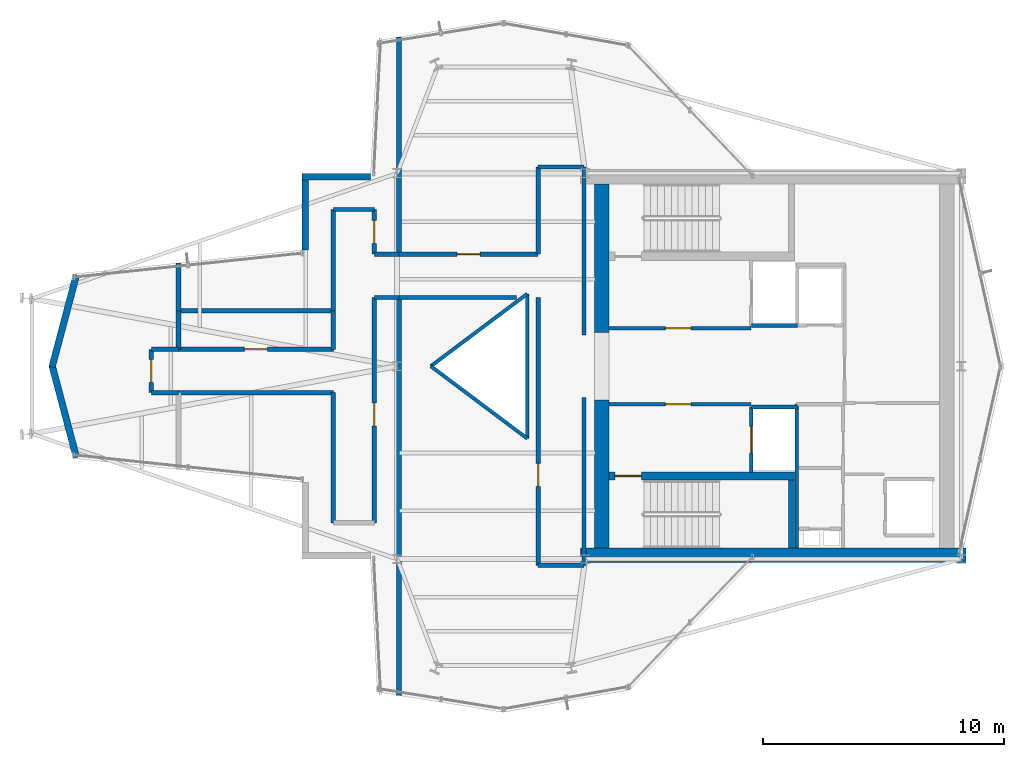
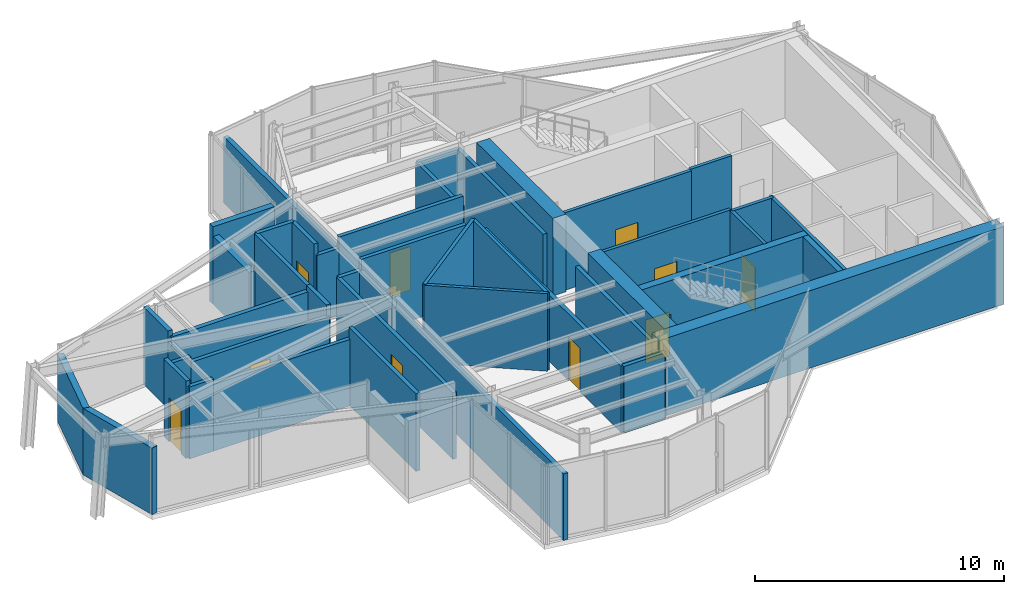
# One storey, part 12 of 14: 44 walls, 10 doors, 10 openings.
"""IFC4 building model written with IfcOpenShell, lengths in metres."""

from ifc_helpers import new_model, si_unit, direction, frame, frame_2d, origin, place, context, subcontext, project, spatial, rectangle, extrude, material, layer, layer_set, type_object, element, fill, save


model = new_model("IFC4")

# Units and contexts
model_context = context("Model", 3, precision=1e-05, world=origin(), true_north=direction((0.0, 1.0)))
body_context = subcontext(model_context, "Body", "Model", "MODEL_VIEW")
ifc_project = project(units=[si_unit("LENGTHUNIT", "METRE"), si_unit("AREAUNIT", "SQUARE_METRE"), si_unit("VOLUMEUNIT", "CUBIC_METRE"), si_unit("PLANEANGLEUNIT", "RADIAN"), si_unit("MASSUNIT", "GRAM", prefix="KILO")], contexts=[model_context])

# Site, building, storey
site_placement = place(None, origin())
site = spatial("IfcSite", under=ifc_project, at=site_placement, CompositionType="ELEMENT")
building_placement = place(site_placement, origin())
building = spatial("IfcBuilding", under=site, at=building_placement, Name="Veymaron Broadcast Tower", CompositionType="ELEMENT")
storey_placement = place(building_placement, frame((0.0, 0.0, 299.25)))
storey = spatial("IfcBuildingStorey", under=building, at=storey_placement, Name="L70", CompositionType="ELEMENT", Elevation=299.25)

# Walls
ifc_material_1 = material(Name="Concrete C40/50", Category="concrete")
ifc_layer_1 = layer(ifc_material_1, 0.199951171875)
ifc_layer_set_1 = layer_set([ifc_layer_1], Name="Concrete C40/50")
wall_type_1 = type_object("IfcWallType", Name="WALL-BLK-200", PredefinedType="SOLIDWALL", material=ifc_layer_set_1)
wall_1_placement = place(storey_placement, frame((31.27587890625, 10.33740234375, 0.0), z_axis=(0.0, 0.0, 1.0), x_axis=(0.0, 1.0, 0.0)))
element("IfcWall", 1, at=wall_1_placement, inside=storey, type_object=wall_type_1, Name="L70 partition IW-L70-P23", PredefinedType="SOLIDWALL", context=body_context, shape_type="SweptSolid", body=[
    extrude(rectangle(XDim=16.5126953125, YDim=0.199951171875, at=frame_2d((8.25634765625, 0.0))), origin(), (0.0, 0.0, 1.0), 3.27001953125),
])
wall_2_placement = place(storey_placement, frame((22.1279296875, 24.699951171875, 0.0), z_axis=(0.0, 0.0, 1.0), x_axis=(0.0, 1.0, 0.0)))
element("IfcWall", 2, at=wall_2_placement, inside=storey, type_object=wall_type_1, Name="L70 partition IW-L70-P25", PredefinedType="SOLIDWALL", context=body_context, shape_type="SweptSolid", body=[
    extrude(rectangle(XDim=1.59814453125, YDim=0.199951171875, at=frame_2d((0.799072265625, 0.0))), origin(), (0.0, 0.0, 1.0), 3.27001953125),
])
wall_3_placement = place(storey_placement, frame((22.1279296875, 26.298095703125, 0.0), z_axis=(0.0, 0.0, 1.0), x_axis=(0.0, 1.0, 0.0)))
element("IfcWall", 3, at=wall_3_placement, inside=storey, type_object=wall_type_1, Name="L70 partition IW-L70-P26", PredefinedType="SOLIDWALL", context=body_context, shape_type="SweptSolid", body=[
    extrude(rectangle(XDim=1.986572265625, YDim=0.199951171875, at=frame_2d((0.9931640625, 0.0))), origin(), (0.0, 0.0, 1.0), 3.81005859375),
])
wall_4_placement = place(storey_placement, frame((22.1279296875, 26.298095703125, 0.0), z_axis=(0.0, 0.0, 1.0), x_axis=(1.0, 0.0, 0.0)))
element("IfcWall", 4, at=wall_4_placement, inside=storey, type_object=wall_type_1, Name="L70 partition IW-L70-P27", PredefinedType="SOLIDWALL", context=body_context, shape_type="SweptSolid", body=[
    extrude(rectangle(XDim=6.422119140625, YDim=0.199951171875, at=frame_2d((3.2109375, 0.0))), origin(), (0.0, 0.0, 1.0), 3.5400390625),
])
wall_5_placement = place(storey_placement, frame((31.27587890625, 28.64990234375, 0.0), z_axis=(0.0, 0.0, 1.0), x_axis=(0.0, 1.0, 0.0)))
element("IfcWall", 5, at=wall_5_placement, inside=storey, type_object=wall_type_1, Name="L70 partition IW-L70-P28", PredefinedType="SOLIDWALL", context=body_context, shape_type="SweptSolid", body=[
    extrude(rectangle(XDim=9.0126953125, YDim=0.199951171875, at=frame_2d((4.50634765625, 0.0))), origin(), (0.0, 0.0, 1.0), 3.27001953125),
])
ifc_material_2 = material(Name="Precast concrete C40/50", Category="concrete")
ifc_layer_2 = layer(ifc_material_2, 0.280029296875)
ifc_layer_set_2 = layer_set([ifc_layer_2], Name="Precast concrete C40/50")
wall_type_2 = type_object("IfcWallType", Name="WALL-EXT-280", PredefinedType="STANDARD", material=ifc_layer_set_2)
wall_6_placement = place(storey_placement, frame((30.0908203125, 31.860107421875, 0.0), z_axis=(0.0, 0.0, 1.0), x_axis=(-1.0, 0.0, 0.0)))
element("IfcWall", 6, at=wall_6_placement, inside=storey, type_object=wall_type_2, Name="L70 notched corner facade pier 9-1", PredefinedType="STANDARD", context=body_context, shape_type="SweptSolid", body=[
    extrude(rectangle(XDim=2.84130859375, YDim=0.280029296875, at=frame_2d((1.420654296875, 0.0))), origin(), (0.0, 0.0, 1.0), 3.81005859375),
])
wall_7_placement = place(storey_placement, frame((27.3896484375, 32.0, 0.0), z_axis=(0.0, 0.0, 1.0), x_axis=(0.0, -1.0, 0.0)))
element("IfcWall", 7, at=wall_7_placement, inside=storey, type_object=wall_type_2, Name="L70 notched corner facade pier 10-1", PredefinedType="STANDARD", context=body_context, shape_type="SweptSolid", body=[
    extrude(rectangle(XDim=3.177001953125, YDim=0.280029296875, at=frame_2d((1.58837890625, 0.0))), origin(), (0.0, 0.0, 1.0), 3.339111328125),
])
for number, where, z_axis, x_axis, name in (
    (8, (17.895263671875, 27.78955078125, 0.0), (0.0, 0.0, 1.0), (-0.255911213431, -0.96670029008, 0.0), "L70 notched corner facade pier 12-1"),
    (9, (16.882568359375, 24.035888671875, 0.0), (0.0, 0.0, 1.0), (0.255911213431, -0.96670029008, 0.0), "L70 notched corner facade pier 13-1"),
):
    element("IfcWall", number, at=place(storey_placement, frame(where, z_axis=z_axis, x_axis=x_axis)), inside=storey, type_object=wall_type_2, Name=name, PredefinedType="STANDARD", context=body_context, shape_type="SweptSolid", body=[
        extrude(rectangle(XDim=3.957275390625, YDim=0.280029296875, at=frame_2d((1.978515625, 0.0))), origin(), (0.0, 0.0, 1.0), 3.27001953125),
    ])

# Wall, opening, door
ifc_material_3 = material(Name="Gypsum fireboard and steel stud framing", Category="steel")
ifc_layer_3 = layer(ifc_material_3, 0.14990234375)
ifc_layer_set_3 = layer_set([ifc_layer_3], Name="Gypsum fireboard and steel stud framing")
wall_type_3 = type_object("IfcWallType", Name="WALL-FIRE-150", PredefinedType="PARTITIONING", material=ifc_layer_set_3)
wall_8_placement = place(storey_placement, frame((39.97998046875, 25.574951171875, 0.0), z_axis=(0.0, 0.0, 1.0), x_axis=(1.0, 0.0, 0.0)))
wall_8 = element("IfcWall", 10, at=wall_8_placement, inside=storey, type_object=wall_type_3, Name="L70 partition IW-L70-FFLN-S", PredefinedType="PARTITIONING", context=body_context, shape_type="SweptSolid", body=[
    extrude(rectangle(XDim=5.89990234375, YDim=0.14990234375, at=frame_2d((2.949951171875, 0.0))), origin(), (0.0, 0.0, 1.0), 3.81005859375),
])
opening_1_placement = place(wall_8_placement, frame((2.35009765625, 0.0, 0.0)))
opening_1 = element("IfcOpeningElement", 11, at=opening_1_placement, cuts=wall_8, Name="Opening ID-FL1", PredefinedType="OPENING", context=body_context, shape_type="SweptSolid", body=[
    extrude(rectangle(XDim=1.050048828125, YDim=2.14990234375, at=frame_2d((0.52490234375, 1.074951171875))), frame((0.0, 0.0849609375, 0.0), z_axis=(0.0, -1.0, 0.0), x_axis=(1.0, 0.0, 0.0)), (0.0, 0.0, 1.0), 0.169921875),
])
ifc_material_4 = material(Name="Fire-rated painted hollow steel ASTM A653", Category="steel")
door_type_1 = type_object("IfcDoorType", Name="DOOR-FIRE-1050", OperationType="NOTDEFINED", PredefinedType="DOOR", material=ifc_material_4)
door_1_placement = place(opening_1_placement, origin())
door_1 = element("IfcDoor", 12, at=door_1_placement, inside=storey, type_object=door_type_1, Name="L70 door DR-L70-FFLN", OperationType="SINGLE_SWING_LEFT", OverallHeight=2.14990234375, OverallWidth=1.050048828125, PredefinedType="DOOR", context=body_context, shape_type="SweptSolid", body=[
    extrude(rectangle(XDim=1.050048828125, YDim=2.14990234375, at=frame_2d((0.52490234375, 1.074951171875))), frame((0.0, 0.02490234375, 0.0), z_axis=(0.0, -1.0, 0.0), x_axis=(1.0, 0.0, 0.0)), (0.0, 0.0, 1.0), 0.050048828125),
])
fill(opening_1, door_1)

wall_9_placement = place(storey_placement, frame((39.97998046875, 22.425048828125, 0.0), z_axis=(0.0, 0.0, 1.0), x_axis=(1.0, 0.0, 0.0)))
wall_9 = element("IfcWall", 13, at=wall_9_placement, inside=storey, type_object=wall_type_3, Name="L70 partition IW-L70-FFLS-N", PredefinedType="PARTITIONING", context=body_context, shape_type="SweptSolid", body=[
    extrude(rectangle(XDim=5.89990234375, YDim=0.14990234375, at=frame_2d((2.949951171875, 0.0))), origin(), (0.0, 0.0, 1.0), 3.81005859375),
])
opening_2_placement = place(wall_9_placement, frame((2.35009765625, 0.0, 0.0)))
opening_2 = element("IfcOpeningElement", 14, at=opening_2_placement, cuts=wall_9, Name="Opening ID-FL1", PredefinedType="OPENING", context=body_context, shape_type="SweptSolid", body=[
    extrude(rectangle(XDim=1.050048828125, YDim=2.14990234375, at=frame_2d((0.52490234375, 1.074951171875))), frame((0.0, 0.0849609375, 0.0), z_axis=(0.0, -1.0, 0.0), x_axis=(1.0, 0.0, 0.0)), (0.0, 0.0, 1.0), 0.169921875),
])
door_2_placement = place(opening_2_placement, frame((1.050048828125, 0.0, 0.0), z_axis=(0.0, 0.0, 1.0), x_axis=(-1.0, 0.0, 0.0)))
door_2 = element("IfcDoor", 15, at=door_2_placement, inside=storey, type_object=door_type_1, Name="L70 door DR-L70-FFLS", OperationType="SINGLE_SWING_RIGHT", OverallHeight=2.14990234375, OverallWidth=1.050048828125, PredefinedType="DOOR", context=body_context, shape_type="SweptSolid", body=[
    extrude(rectangle(XDim=1.050048828125, YDim=2.14990234375, at=frame_2d((0.52490234375, 1.074951171875))), frame((0.0, 0.02490234375, 0.0), z_axis=(0.0, -1.0, 0.0), x_axis=(1.0, 0.0, 0.0)), (0.0, 0.0, 1.0), 0.050048828125),
])
fill(opening_2, door_2)

# Wall
wall_10_placement = place(storey_placement, frame((45.89501953125, 25.68994140625, 0.0), z_axis=(0.0, 0.0, 1.0), x_axis=(1.0, 0.0, 0.0)))
element("IfcWall", 16, at=wall_10_placement, inside=storey, type_object=wall_type_3, Name="L70 partition IW-L70-SHS-FFL-1", PredefinedType="PARTITIONING", context=body_context, shape_type="SweptSolid", body=[
    extrude(rectangle(XDim=1.9150390625, YDim=0.14990234375, at=frame_2d((0.95751953125, 0.0))), origin(), (0.0, 0.0, 1.0), 3.81005859375),
])

# Wall, opening, door
wall_11_placement = place(storey_placement, frame((45.89501953125, 19.590087890625, 0.0), z_axis=(0.0, 0.0, 1.0), x_axis=(0.0, 1.0, 0.0)))
wall_11 = element("IfcWall", 17, at=wall_11_placement, inside=storey, type_object=wall_type_3, Name="L70 partition IW-L70-SHW-FFL-2", PredefinedType="PARTITIONING", context=body_context, shape_type="SweptSolid", body=[
    extrude(rectangle(XDim=2.719970703125, YDim=0.14990234375, at=frame_2d((1.35986328125, 0.0))), origin(), (0.0, 0.0, 1.0), 3.81005859375),
])
opening_3_placement = place(wall_11_placement, frame((0.81005859375, 0.0, 0.0)))
opening_3 = element("IfcOpeningElement", 18, at=opening_3_placement, cuts=wall_11, Name="Opening LD", PredefinedType="OPENING", context=body_context, shape_type="SweptSolid", body=[
    extrude(rectangle(XDim=1.10009765625, YDim=2.14990234375, at=frame_2d((0.550048828125, 1.074951171875))), frame((0.0, 0.0849609375, 0.0), z_axis=(0.0, -1.0, 0.0), x_axis=(1.0, 0.0, 0.0)), (0.0, 0.0, 1.0), 0.169921875),
])
ifc_material_5 = material(Name="Brushed stainless steel AISI 304", Category="steel")
door_type_2 = type_object("IfcDoorType", Name="DOOR-LIFT-1100", OperationType="DOUBLE_DOOR_SLIDING", PredefinedType="DOOR", material=ifc_material_5)
door_3_placement = place(opening_3_placement, frame((1.10009765625, 0.0, 0.0), z_axis=(0.0, 0.0, 1.0), x_axis=(-1.0, 0.0, 0.0)))
door_3 = element("IfcDoor", 19, at=door_3_placement, inside=storey, type_object=door_type_2, Name="L70 door LD-L70-FFL-2", OperationType="DOUBLE_DOOR_SLIDING", OverallHeight=2.14990234375, OverallWidth=1.10009765625, PredefinedType="DOOR", context=body_context, shape_type="SweptSolid", body=[
    extrude(rectangle(XDim=1.10009765625, YDim=2.14990234375, at=frame_2d((0.550048828125, 1.074951171875))), frame((0.0, 0.02490234375, 0.0), z_axis=(0.0, -1.0, 0.0), x_axis=(1.0, 0.0, 0.0)), (0.0, 0.0, 1.0), 0.050048828125),
])
fill(opening_3, door_3)

# Walls
wall_12_placement = place(storey_placement, frame((45.89501953125, 22.31005859375, 0.0), z_axis=(0.0, 0.0, 1.0), x_axis=(1.0, 0.0, 0.0)))
element("IfcWall", 20, at=wall_12_placement, inside=storey, type_object=wall_type_3, Name="L70 partition IW-L70-SHN-FFL-2", PredefinedType="PARTITIONING", context=body_context, shape_type="SweptSolid", body=[
    extrude(rectangle(XDim=1.9150390625, YDim=0.14990234375, at=frame_2d((0.95751953125, 0.0))), origin(), (0.0, 0.0, 1.0), 3.81005859375),
])
wall_13_placement = place(storey_placement, frame((47.780029296875, 16.449951171875, 0.0), z_axis=(0.0, 0.0, 1.0), x_axis=(0.0, 1.0, 0.0)))
element("IfcWall", 21, at=wall_13_placement, inside=storey, type_object=wall_type_3, Name="L70 partition IW-L70-SM-W", PredefinedType="PARTITIONING", context=body_context, shape_type="SweptSolid", body=[
    extrude(rectangle(XDim=5.97509765625, YDim=0.14990234375, at=frame_2d((2.987548828125, 0.0))), origin(), (0.0, 0.0, 1.0), 3.81005859375),
])

# Wall, opening, door
ifc_layer_4 = layer(ifc_material_1, 0.179931640625)
ifc_layer_set_4 = layer_set([ifc_layer_4], Name="Concrete C40/50")
wall_type_4 = type_object("IfcWallType", Name="WALL-FIRE-180", PredefinedType="SOLIDWALL", material=ifc_layer_set_4)
wall_14_placement = place(storey_placement, frame((37.050048828125, 15.73876953125, 0.0), z_axis=(0.0, 0.0, 1.0), x_axis=(0.0, 1.0, 0.0)))
wall_14 = element("IfcWall", 22, at=wall_14_placement, inside=storey, type_object=wall_type_4, Name="L70 partition IW-L70-P01", PredefinedType="SOLIDWALL", context=body_context, shape_type="SweptSolid", body=[
    extrude(rectangle(XDim=11.111328125, YDim=0.179931640625, at=frame_2d((5.5556640625, 0.0))), origin(), (0.0, 0.0, 1.0), 3.27001953125),
])
opening_4_placement = place(wall_14_placement, frame((3.280517578125, 0.0, 0.0)))
opening_4 = element("IfcOpeningElement", 23, at=opening_4_placement, cuts=wall_14, Name="Opening ID-RM1", PredefinedType="OPENING", context=body_context, shape_type="SweptSolid", body=[
    extrude(rectangle(XDim=0.949951171875, YDim=2.14990234375, at=frame_2d((0.47509765625, 1.074951171875))), frame((0.0, 0.10009765625, 0.0), z_axis=(0.0, -1.0, 0.0), x_axis=(1.0, 0.0, 0.0)), (0.0, 0.0, 1.0), 0.199951171875),
])
ifc_material_6 = material(Name="Acoustic solid-core European oak veneer timber", Category="wood")
door_type_3 = type_object("IfcDoorType", Name="DOOR-INT-950", OperationType="NOTDEFINED", PredefinedType="DOOR", material=ifc_material_6)
door_4_placement = place(opening_4_placement, frame((0.949951171875, 0.0, 0.0), z_axis=(0.0, 0.0, 1.0), x_axis=(-1.0, 0.0, 0.0)))
door_4 = element("IfcDoor", 24, at=door_4_placement, inside=storey, type_object=door_type_3, Name="L70 door DR-L70-P01", OperationType="SINGLE_SWING_RIGHT", OverallHeight=2.14990234375, OverallWidth=0.949951171875, PredefinedType="DOOR", context=body_context, shape_type="SweptSolid", body=[
    extrude(rectangle(XDim=0.949951171875, YDim=2.14990234375, at=frame_2d((0.47509765625, 1.074951171875))), frame((0.0, 0.02490234375, 0.0), z_axis=(0.0, -1.0, 0.0), x_axis=(1.0, 0.0, 0.0)), (0.0, 0.0, 1.0), 0.050048828125),
])
fill(opening_4, door_4)

wall_15_placement = place(storey_placement, frame((30.25, 17.5, 0.0), z_axis=(0.0, 0.0, 1.0), x_axis=(0.0, 1.0, 0.0)))
wall_15 = element("IfcWall", 25, at=wall_15_placement, inside=storey, type_object=wall_type_4, Name="L70 partition IW-L70-P05", PredefinedType="SOLIDWALL", context=body_context, shape_type="SweptSolid", body=[
    extrude(rectangle(XDim=9.35009765625, YDim=0.179931640625, at=frame_2d((4.675048828125, 0.0))), origin(), (0.0, 0.0, 1.0), 3.27001953125),
])
opening_5_placement = place(wall_15_placement, frame((4.02001953125, 0.0, 0.0)))
opening_5 = element("IfcOpeningElement", 26, at=opening_5_placement, cuts=wall_15, Name="Opening ID-RM1", PredefinedType="OPENING", context=body_context, shape_type="SweptSolid", body=[
    extrude(rectangle(XDim=0.949951171875, YDim=2.14990234375, at=frame_2d((0.47509765625, 1.074951171875))), frame((0.0, 0.10009765625, 0.0), z_axis=(0.0, -1.0, 0.0), x_axis=(1.0, 0.0, 0.0)), (0.0, 0.0, 1.0), 0.199951171875),
])
door_5_placement = place(opening_5_placement, frame((0.949951171875, 0.0, 0.0), z_axis=(0.0, 0.0, 1.0), x_axis=(-1.0, 0.0, 0.0)))
door_5 = element("IfcDoor", 27, at=door_5_placement, inside=storey, type_object=door_type_3, Name="L70 door DR-L70-P05", OperationType="SINGLE_SWING_RIGHT", OverallHeight=2.14990234375, OverallWidth=0.949951171875, PredefinedType="DOOR", context=body_context, shape_type="SweptSolid", body=[
    extrude(rectangle(XDim=0.949951171875, YDim=2.14990234375, at=frame_2d((0.47509765625, 1.074951171875))), frame((0.0, 0.02490234375, 0.0), z_axis=(0.0, -1.0, 0.0), x_axis=(1.0, 0.0, 0.0)), (0.0, 0.0, 1.0), 0.050048828125),
])
fill(opening_5, door_5)

wall_16_placement = place(storey_placement, frame((21.0, 22.89990234375, 0.0), z_axis=(0.0, 0.0, 1.0), x_axis=(0.0, 1.0, 0.0)))
wall_16 = element("IfcWall", 28, at=wall_16_placement, inside=storey, type_object=wall_type_4, Name="L70 partition IW-L70-P10", PredefinedType="SOLIDWALL", context=body_context, shape_type="SweptSolid", body=[
    extrude(rectangle(XDim=1.800048828125, YDim=0.179931640625, at=frame_2d((0.89990234375, 0.0))), origin(), (0.0, 0.0, 1.0), 3.81005859375),
])
opening_6_placement = place(wall_16_placement, frame((0.425048828125, 0.0, 0.0)))
opening_6 = element("IfcOpeningElement", 29, at=opening_6_placement, cuts=wall_16, Name="Opening ID-RM1", PredefinedType="OPENING", context=body_context, shape_type="SweptSolid", body=[
    extrude(rectangle(XDim=0.949951171875, YDim=2.14990234375, at=frame_2d((0.47509765625, 1.074951171875))), frame((0.0, 0.10009765625, 0.0), z_axis=(0.0, -1.0, 0.0), x_axis=(1.0, 0.0, 0.0)), (0.0, 0.0, 1.0), 0.199951171875),
])
door_6_placement = place(opening_6_placement, origin())
door_6 = element("IfcDoor", 30, at=door_6_placement, inside=storey, type_object=door_type_3, Name="L70 door DR-L70-P10", OperationType="SINGLE_SWING_LEFT", OverallHeight=2.14990234375, OverallWidth=0.949951171875, PredefinedType="DOOR", context=body_context, shape_type="SweptSolid", body=[
    extrude(rectangle(XDim=0.949951171875, YDim=2.14990234375, at=frame_2d((0.47509765625, 1.074951171875))), frame((0.0, 0.02490234375, 0.0), z_axis=(0.0, -1.0, 0.0), x_axis=(1.0, 0.0, 0.0)), (0.0, 0.0, 1.0), 0.050048828125),
])
fill(opening_6, door_6)

wall_17_placement = place(storey_placement, frame((22.1279296875, 24.699951171875, 0.0), z_axis=(0.0, 0.0, 1.0), x_axis=(1.0, 0.0, 0.0)))
wall_17 = element("IfcWall", 31, at=wall_17_placement, inside=storey, type_object=wall_type_4, Name="L70 partition IW-L70-P13", PredefinedType="SOLIDWALL", context=body_context, shape_type="SweptSolid", body=[
    extrude(rectangle(XDim=6.422119140625, YDim=0.179931640625, at=frame_2d((3.2109375, 0.0))), origin(), (0.0, 0.0, 1.0), 3.27001953125),
])
opening_7_placement = place(wall_17_placement, frame((2.736083984375, 0.0, 0.0)))
opening_7 = element("IfcOpeningElement", 32, at=opening_7_placement, cuts=wall_17, Name="Opening ID-RM1", PredefinedType="OPENING", context=body_context, shape_type="SweptSolid", body=[
    extrude(rectangle(XDim=0.949951171875, YDim=2.14990234375, at=frame_2d((0.47509765625, 1.074951171875))), frame((0.0, 0.10009765625, 0.0), z_axis=(0.0, -1.0, 0.0), x_axis=(1.0, 0.0, 0.0)), (0.0, 0.0, 1.0), 0.199951171875),
])
door_7_placement = place(opening_7_placement, origin())
door_7 = element("IfcDoor", 33, at=door_7_placement, inside=storey, type_object=door_type_3, Name="L70 door DR-L70-P13", OperationType="SINGLE_SWING_RIGHT", OverallHeight=2.14990234375, OverallWidth=0.949951171875, PredefinedType="DOOR", context=body_context, shape_type="SweptSolid", body=[
    extrude(rectangle(XDim=0.949951171875, YDim=2.14990234375, at=frame_2d((0.47509765625, 1.074951171875))), frame((0.0, 0.02490234375, 0.0), z_axis=(0.0, -1.0, 0.0), x_axis=(1.0, 0.0, 0.0)), (0.0, 0.0, 1.0), 0.050048828125),
])
fill(opening_7, door_7)

wall_18_placement = place(storey_placement, frame((30.25, 28.64990234375, 0.0), z_axis=(0.0, 0.0, 1.0), x_axis=(0.0, 1.0, 0.0)))
wall_18 = element("IfcWall", 34, at=wall_18_placement, inside=storey, type_object=wall_type_4, Name="L70 partition IW-L70-P16", PredefinedType="SOLIDWALL", context=body_context, shape_type="SweptSolid", body=[
    extrude(rectangle(XDim=1.85009765625, YDim=0.179931640625, at=frame_2d((0.925048828125, 0.0))), origin(), (0.0, 0.0, 1.0), 3.81005859375),
])
opening_8_placement = place(wall_18_placement, frame((0.449951171875, 0.0, 0.0)))
opening_8 = element("IfcOpeningElement", 35, at=opening_8_placement, cuts=wall_18, Name="Opening ID-RM1", PredefinedType="OPENING", context=body_context, shape_type="SweptSolid", body=[
    extrude(rectangle(XDim=0.949951171875, YDim=2.14990234375, at=frame_2d((0.47509765625, 1.074951171875))), frame((0.0, 0.10009765625, 0.0), z_axis=(0.0, -1.0, 0.0), x_axis=(1.0, 0.0, 0.0)), (0.0, 0.0, 1.0), 0.199951171875),
])
door_8_placement = place(opening_8_placement, frame((0.949951171875, 0.0, 0.0), z_axis=(0.0, 0.0, 1.0), x_axis=(-1.0, 0.0, 0.0)))
door_8 = element("IfcDoor", 36, at=door_8_placement, inside=storey, type_object=door_type_3, Name="L70 door DR-L70-P16", OperationType="SINGLE_SWING_LEFT", OverallHeight=2.14990234375, OverallWidth=0.949951171875, PredefinedType="DOOR", context=body_context, shape_type="SweptSolid", body=[
    extrude(rectangle(XDim=0.949951171875, YDim=2.14990234375, at=frame_2d((0.47509765625, 1.074951171875))), frame((0.0, 0.02490234375, 0.0), z_axis=(0.0, -1.0, 0.0), x_axis=(1.0, 0.0, 0.0)), (0.0, 0.0, 1.0), 0.050048828125),
])
fill(opening_8, door_8)

wall_19_placement = place(storey_placement, frame((31.27587890625, 28.64990234375, 0.0), z_axis=(0.0, 0.0, 1.0), x_axis=(1.0, 0.0, 0.0)))
wall_19 = element("IfcWall", 37, at=wall_19_placement, inside=storey, type_object=wall_type_4, Name="L70 partition IW-L70-P20", PredefinedType="SOLIDWALL", context=body_context, shape_type="SweptSolid", body=[
    extrude(rectangle(XDim=5.774169921875, YDim=0.179931640625, at=frame_2d((2.88720703125, 0.0))), origin(), (0.0, 0.0, 1.0), 3.81005859375),
])
opening_9_placement = place(wall_19_placement, frame((2.412109375, 0.0, 0.0)))
opening_9 = element("IfcOpeningElement", 38, at=opening_9_placement, cuts=wall_19, Name="Opening ID-RM1", PredefinedType="OPENING", context=body_context, shape_type="SweptSolid", body=[
    extrude(rectangle(XDim=0.949951171875, YDim=2.14990234375, at=frame_2d((0.47509765625, 1.074951171875))), frame((0.0, 0.10009765625, 0.0), z_axis=(0.0, -1.0, 0.0), x_axis=(1.0, 0.0, 0.0)), (0.0, 0.0, 1.0), 0.199951171875),
])
door_9_placement = place(opening_9_placement, origin())
door_9 = element("IfcDoor", 39, at=door_9_placement, inside=storey, type_object=door_type_3, Name="L70 door DR-L70-P20", OperationType="SINGLE_SWING_LEFT", OverallHeight=2.14990234375, OverallWidth=0.949951171875, PredefinedType="DOOR", context=body_context, shape_type="SweptSolid", body=[
    extrude(rectangle(XDim=0.949951171875, YDim=2.14990234375, at=frame_2d((0.47509765625, 1.074951171875))), frame((0.0, 0.02490234375, 0.0), z_axis=(0.0, -1.0, 0.0), x_axis=(1.0, 0.0, 0.0)), (0.0, 0.0, 1.0), 0.050048828125),
])
fill(opening_9, door_9)

# Walls
wall_20_placement = place(storey_placement, frame((38.949951171875, 15.73876953125, 0.0), z_axis=(0.0, 0.0, 1.0), x_axis=(0.0, 1.0, 0.0)))
element("IfcWall", 40, at=wall_20_placement, inside=storey, type_object=wall_type_4, Name="L70 partition IW-L70-P02", PredefinedType="SOLIDWALL", context=body_context, shape_type="SweptSolid", body=[
    extrude(rectangle(XDim=6.961181640625, YDim=0.179931640625, at=frame_2d((3.48046875, 0.0))), origin(), (0.0, 0.0, 1.0), 3.27001953125),
])
wall_21_placement = place(storey_placement, frame((31.27587890625, 26.85009765625, 0.0), z_axis=(0.0, 0.0, 1.0), x_axis=(1.0, 0.0, 0.0)))
element("IfcWall", 41, at=wall_21_placement, inside=storey, type_object=wall_type_4, Name="L70 partition IW-L70-P03", PredefinedType="SOLIDWALL", context=body_context, shape_type="SweptSolid", body=[
    extrude(rectangle(XDim=4.8740234375, YDim=0.179931640625, at=frame_2d((2.43701171875, 0.0))), origin(), (0.0, 0.0, 1.0), 3.81005859375),
])
wall_22_placement = place(storey_placement, frame((37.050048828125, 15.73876953125, 0.0), z_axis=(0.0, 0.0, 1.0), x_axis=(1.0, 0.0, 0.0)))
element("IfcWall", 42, at=wall_22_placement, inside=storey, type_object=wall_type_4, Name="L70 partition IW-L70-P04", PredefinedType="SOLIDWALL", context=body_context, shape_type="SweptSolid", body=[
    extrude(rectangle(XDim=1.89990234375, YDim=0.179931640625, at=frame_2d((0.949951171875, 0.0))), origin(), (0.0, 0.0, 1.0), 3.27001953125),
])
wall_23_placement = place(storey_placement, frame((22.1279296875, 22.89990234375, 0.0), z_axis=(0.0, 0.0, 1.0), x_axis=(1.0, 0.0, 0.0)))
element("IfcWall", 43, at=wall_23_placement, inside=storey, type_object=wall_type_4, Name="L70 partition IW-L70-P06", PredefinedType="SOLIDWALL", context=body_context, shape_type="SweptSolid", body=[
    extrude(rectangle(XDim=6.422119140625, YDim=0.179931640625, at=frame_2d((3.2109375, 0.0))), origin(), (0.0, 0.0, 1.0), 3.27001953125),
])
wall_24_placement = place(storey_placement, frame((28.550048828125, 17.5, 0.0), z_axis=(0.0, 0.0, 1.0), x_axis=(0.0, 1.0, 0.0)))
element("IfcWall", 44, at=wall_24_placement, inside=storey, type_object=wall_type_4, Name="L70 partition IW-L70-P07", PredefinedType="SOLIDWALL", context=body_context, shape_type="SweptSolid", body=[
    extrude(rectangle(XDim=5.39990234375, YDim=0.179931640625, at=frame_2d((2.699951171875, 0.0))), origin(), (0.0, 0.0, 1.0), 3.81005859375),
])
wall_25_placement = place(storey_placement, frame((30.25, 26.85009765625, 0.0), z_axis=(0.0, 0.0, 1.0), x_axis=(1.0, 0.0, 0.0)))
element("IfcWall", 45, at=wall_25_placement, inside=storey, type_object=wall_type_4, Name="L70 partition IW-L70-P09", PredefinedType="SOLIDWALL", context=body_context, shape_type="SweptSolid", body=[
    extrude(rectangle(XDim=1.02587890625, YDim=0.179931640625, at=frame_2d((0.512939453125, 0.0))), origin(), (0.0, 0.0, 1.0), 3.27001953125),
])
for number, where, z_axis, x_axis, name in (
    (46, (21.0, 22.89990234375, 0.0), (0.0, 0.0, 1.0), (1.0, 0.0, 0.0), "L70 partition IW-L70-P11"),
    (47, (21.0, 24.699951171875, 0.0), (0.0, 0.0, 1.0), (1.0, 0.0, 0.0), "L70 partition IW-L70-P12"),
):
    element("IfcWall", number, at=place(storey_placement, frame(where, z_axis=z_axis, x_axis=x_axis)), inside=storey, type_object=wall_type_4, Name=name, PredefinedType="SOLIDWALL", context=body_context, shape_type="SweptSolid", body=[
        extrude(rectangle(XDim=1.1279296875, YDim=0.179931640625, at=frame_2d((0.56396484375, 0.0))), origin(), (0.0, 0.0, 1.0), 3.5400390625),
    ])
wall_26_placement = place(storey_placement, frame((28.550048828125, 24.699951171875, 0.0), z_axis=(0.0, 0.0, 1.0), x_axis=(0.0, 1.0, 0.0)))
element("IfcWall", 48, at=wall_26_placement, inside=storey, type_object=wall_type_4, Name="L70 partition IW-L70-P14", PredefinedType="SOLIDWALL", context=body_context, shape_type="SweptSolid", body=[
    extrude(rectangle(XDim=1.59814453125, YDim=0.179931640625, at=frame_2d((0.799072265625, 0.0))), origin(), (0.0, 0.0, 1.0), 3.81005859375),
])
wall_27_placement = place(storey_placement, frame((28.550048828125, 26.298095703125, 0.0), z_axis=(0.0, 0.0, 1.0), x_axis=(0.0, 1.0, 0.0)))
element("IfcWall", 49, at=wall_27_placement, inside=storey, type_object=wall_type_4, Name="L70 partition IW-L70-P15", PredefinedType="SOLIDWALL", context=body_context, shape_type="SweptSolid", body=[
    extrude(rectangle(XDim=4.201904296875, YDim=0.179931640625, at=frame_2d((2.10107421875, 0.0))), origin(), (0.0, 0.0, 1.0), 3.81005859375),
])
wall_28_placement = place(storey_placement, frame((28.550048828125, 30.5, 0.0), z_axis=(0.0, 0.0, 1.0), x_axis=(1.0, 0.0, 0.0)))
element("IfcWall", 50, at=wall_28_placement, inside=storey, type_object=wall_type_4, Name="L70 partition IW-L70-P17", PredefinedType="SOLIDWALL", context=body_context, shape_type="SweptSolid", body=[
    extrude(rectangle(XDim=1.699951171875, YDim=0.179931640625, at=frame_2d((0.85009765625, 0.0))), origin(), (0.0, 0.0, 1.0), 3.81005859375),
])
wall_29_placement = place(storey_placement, frame((30.25, 28.64990234375, 0.0), z_axis=(0.0, 0.0, 1.0), x_axis=(1.0, 0.0, 0.0)))
element("IfcWall", 51, at=wall_29_placement, inside=storey, type_object=wall_type_4, Name="L70 partition IW-L70-P18", PredefinedType="SOLIDWALL", context=body_context, shape_type="SweptSolid", body=[
    extrude(rectangle(XDim=1.02587890625, YDim=0.179931640625, at=frame_2d((0.512939453125, 0.0))), origin(), (0.0, 0.0, 1.0), 3.27001953125),
])
wall_30_placement = place(storey_placement, frame((38.949951171875, 25.300048828125, 0.0), z_axis=(0.0, 0.0, 1.0), x_axis=(0.0, 1.0, 0.0)))
element("IfcWall", 52, at=wall_30_placement, inside=storey, type_object=wall_type_4, Name="L70 partition IW-L70-P19", PredefinedType="SOLIDWALL", context=body_context, shape_type="SweptSolid", body=[
    extrude(rectangle(XDim=6.961181640625, YDim=0.179931640625, at=frame_2d((3.48046875, 0.0))), origin(), (0.0, 0.0, 1.0), 3.27001953125),
])
wall_31_placement = place(storey_placement, frame((37.050048828125, 28.64990234375, 0.0), z_axis=(0.0, 0.0, 1.0), x_axis=(0.0, 1.0, 0.0)))
element("IfcWall", 53, at=wall_31_placement, inside=storey, type_object=wall_type_4, Name="L70 partition IW-L70-P21", PredefinedType="SOLIDWALL", context=body_context, shape_type="SweptSolid", body=[
    extrude(rectangle(XDim=3.611328125, YDim=0.179931640625, at=frame_2d((1.8056640625, 0.0))), origin(), (0.0, 0.0, 1.0), 3.27001953125),
])
wall_32_placement = place(storey_placement, frame((37.050048828125, 32.26123046875, 0.0), z_axis=(0.0, 0.0, 1.0), x_axis=(1.0, 0.0, 0.0)))
element("IfcWall", 54, at=wall_32_placement, inside=storey, type_object=wall_type_4, Name="L70 partition IW-L70-P22", PredefinedType="SOLIDWALL", context=body_context, shape_type="SweptSolid", body=[
    extrude(rectangle(XDim=1.89990234375, YDim=0.179931640625, at=frame_2d((0.949951171875, 0.0))), origin(), (0.0, 0.0, 1.0), 3.27001953125),
])
ifc_material_7 = material(Name="Fire-rated laminated glass in aluminium frame", Category="aluminium")
ifc_layer_5 = layer(ifc_material_7, 0.14990234375)
ifc_layer_set_5 = layer_set([ifc_layer_5], Name="Fire-rated laminated glass in aluminium frame")
wall_type_5 = type_object("IfcWallType", Name="WALL-GLZ-150", PredefinedType="MOVABLE", material=ifc_layer_set_5)
wall_33_placement = place(storey_placement, frame((32.60009765625, 24.0, 0.0), z_axis=(0.0, 0.0, 1.0), x_axis=(0.8, -0.6, 0.0)))
element("IfcWall", 55, at=wall_33_placement, inside=storey, type_object=wall_type_5, Name="L70 partition IW-L70-ATR1", PredefinedType="MOVABLE", context=body_context, shape_type="SweptSolid", body=[
    extrude(rectangle(XDim=5.0, YDim=0.14990234375, at=frame_2d((2.5, 0.0))), origin(), (0.0, 0.0, 1.0), 3.81005859375),
])
wall_34_placement = place(storey_placement, frame((36.60009765625, 21.0, 0.0), z_axis=(0.0, 0.0, 1.0), x_axis=(0.0, 1.0, 0.0)))
element("IfcWall", 56, at=wall_34_placement, inside=storey, type_object=wall_type_5, Name="L70 partition IW-L70-ATR2", PredefinedType="MOVABLE", context=body_context, shape_type="SweptSolid", body=[
    extrude(rectangle(XDim=6.0, YDim=0.14990234375, at=frame_2d((3.0, 0.0))), origin(), (0.0, 0.0, 1.0), 3.81005859375),
])
wall_35_placement = place(storey_placement, frame((36.60009765625, 27.0, 0.0), z_axis=(0.0, 0.0, 1.0), x_axis=(-0.8, -0.6, 0.0)))
element("IfcWall", 57, at=wall_35_placement, inside=storey, type_object=wall_type_5, Name="L70 partition IW-L70-ATR3", PredefinedType="MOVABLE", context=body_context, shape_type="SweptSolid", body=[
    extrude(rectangle(XDim=5.0, YDim=0.14990234375, at=frame_2d((2.5, 0.0))), origin(), (0.0, 0.0, 1.0), 3.81005859375),
])
ifc_material_8 = material(Name="Concrete C50/60", Category="concrete")
ifc_layer_6 = layer(ifc_material_8, 0.25)
ifc_layer_set_6 = layer_set([ifc_layer_6], Name="Concrete C50/60")
wall_type_6 = type_object("IfcWallType", Name="WALL-SHEAR-250", PredefinedType="SHEAR", material=ifc_layer_set_6)
wall_36_placement = place(storey_placement, frame((47.56494140625, 16.449951171875, 0.0), z_axis=(0.0, 0.0, 1.0), x_axis=(0.0, 1.0, 0.0)))
element("IfcWall", 58, at=wall_36_placement, inside=storey, type_object=wall_type_6, Name="L70 Core Wall south stair east shear", PredefinedType="SHEAR", context=body_context, shape_type="SweptSolid", body=[
    extrude(rectangle(XDim=2.820068359375, YDim=0.25, at=frame_2d((1.41015625, 0.0))), origin(), (0.0, 0.0, 1.0), 3.81005859375),
])

# Wall, opening, door
ifc_layer_7 = layer(ifc_material_8, 0.35009765625)
ifc_layer_set_7 = layer_set([ifc_layer_7], Name="Concrete C50/60")
wall_type_7 = type_object("IfcWallType", Name="WALL-SHEAR-350", PredefinedType="SHEAR", material=ifc_layer_set_7)
wall_37_placement = place(storey_placement, frame((39.97998046875, 19.445068359375, 0.0), z_axis=(0.0, 0.0, 1.0), x_axis=(1.0, 0.0, 0.0)))
wall_37 = element("IfcWall", 59, at=wall_37_placement, inside=storey, type_object=wall_type_7, Name="L70 Core Wall south stair spine", PredefinedType="SHEAR", context=body_context, shape_type="SweptSolid", body=[
    extrude(rectangle(XDim=7.7099609375, YDim=0.35009765625, at=frame_2d((3.85498046875, 0.0))), origin(), (0.0, 0.0, 1.0), 3.81005859375),
])
opening_10_placement = place(wall_37_placement, frame((0.25, 0.0, 0.0)))
opening_10 = element("IfcOpeningElement", 60, at=opening_10_placement, cuts=wall_37, Name="Opening ID-ST1", PredefinedType="OPENING", context=body_context, shape_type="SweptSolid", body=[
    extrude(rectangle(XDim=1.10009765625, YDim=2.14990234375, at=frame_2d((0.550048828125, 1.074951171875))), frame((0.0, 0.18505859375, 0.0), z_axis=(0.0, -1.0, 0.0), x_axis=(1.0, 0.0, 0.0)), (0.0, 0.0, 1.0), 0.3701171875),
])
door_type_4 = type_object("IfcDoorType", Name="DOOR-STAIR-1100", OperationType="NOTDEFINED", PredefinedType="DOOR", material=ifc_material_4)
door_10_placement = place(opening_10_placement, frame((1.10009765625, 0.0, 0.0), z_axis=(0.0, 0.0, 1.0), x_axis=(-1.0, 0.0, 0.0)))
door_10 = element("IfcDoor", 61, at=door_10_placement, inside=storey, type_object=door_type_4, Name="L70 exit stair ST2 fire door", OperationType="SINGLE_SWING_RIGHT", OverallHeight=2.14990234375, OverallWidth=1.10009765625, PredefinedType="DOOR", context=body_context, shape_type="SweptSolid", body=[
    extrude(rectangle(XDim=1.10009765625, YDim=2.14990234375, at=frame_2d((0.550048828125, 1.074951171875))), frame((0.0, 0.02490234375, 0.0), z_axis=(0.0, -1.0, 0.0), x_axis=(1.0, 0.0, 0.0)), (0.0, 0.0, 1.0), 0.050048828125),
])
fill(opening_10, door_10)

# Walls
ifc_layer_8 = layer(ifc_material_8, 0.60009765625)
ifc_layer_set_8 = layer_set([ifc_layer_8], Name="Concrete C50/60")
wall_type_8 = type_object("IfcWallType", Name="WALL-SHEAR-600", PredefinedType="SHEAR", material=ifc_layer_set_8)
wall_38_placement = place(storey_placement, frame((38.800048828125, 16.14990234375, 0.0), z_axis=(0.0, 0.0, 1.0), x_axis=(1.0, 0.0, 0.0)))
element("IfcWall", 62, at=wall_38_placement, inside=storey, type_object=wall_type_8, Name="L70 Core Wall south shear", PredefinedType="SHEAR", context=body_context, shape_type="SweptSolid", body=[
    extrude(rectangle(XDim=16.0, YDim=0.60009765625, at=frame_2d((8.0, 0.0))), origin(), (0.0, 0.0, 1.0), 3.81005859375),
])
for number, where, z_axis, x_axis, name in (
    (63, (39.679931640625, 16.449951171875, 0.0), (0.0, 0.0, 1.0), (0.0, 1.0, 0.0), "L70 Core Wall west-south shear"),
    (64, (39.679931640625, 25.39990234375, 0.0), (0.0, 0.0, 1.0), (0.0, 1.0, 0.0), "L70 Core Wall west-north shear"),
):
    element("IfcWall", number, at=place(storey_placement, frame(where, z_axis=z_axis, x_axis=x_axis)), inside=storey, type_object=wall_type_8, Name=name, PredefinedType="SHEAR", context=body_context, shape_type="SweptSolid", body=[
        extrude(rectangle(XDim=6.150146484375, YDim=0.60009765625, at=frame_2d((3.0751953125, 0.0))), origin(), (0.0, 0.0, 1.0), 3.81005859375),
    ])

save(model, "model.ifc")
